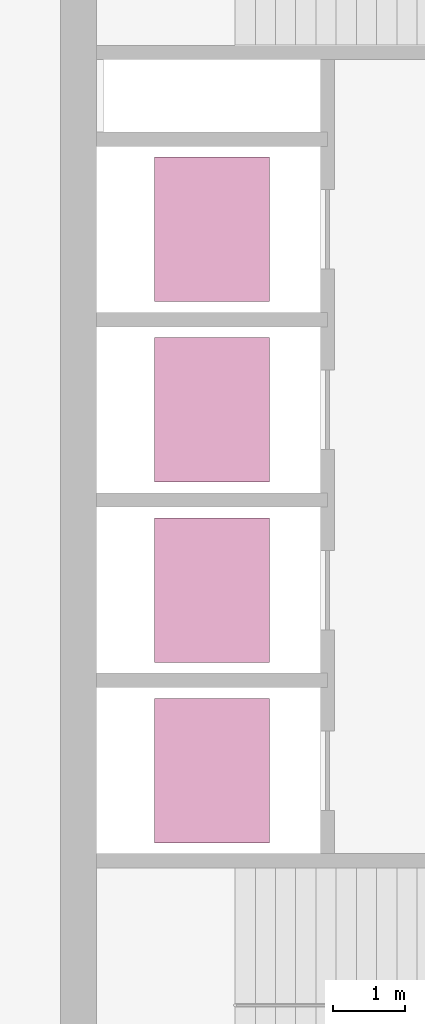
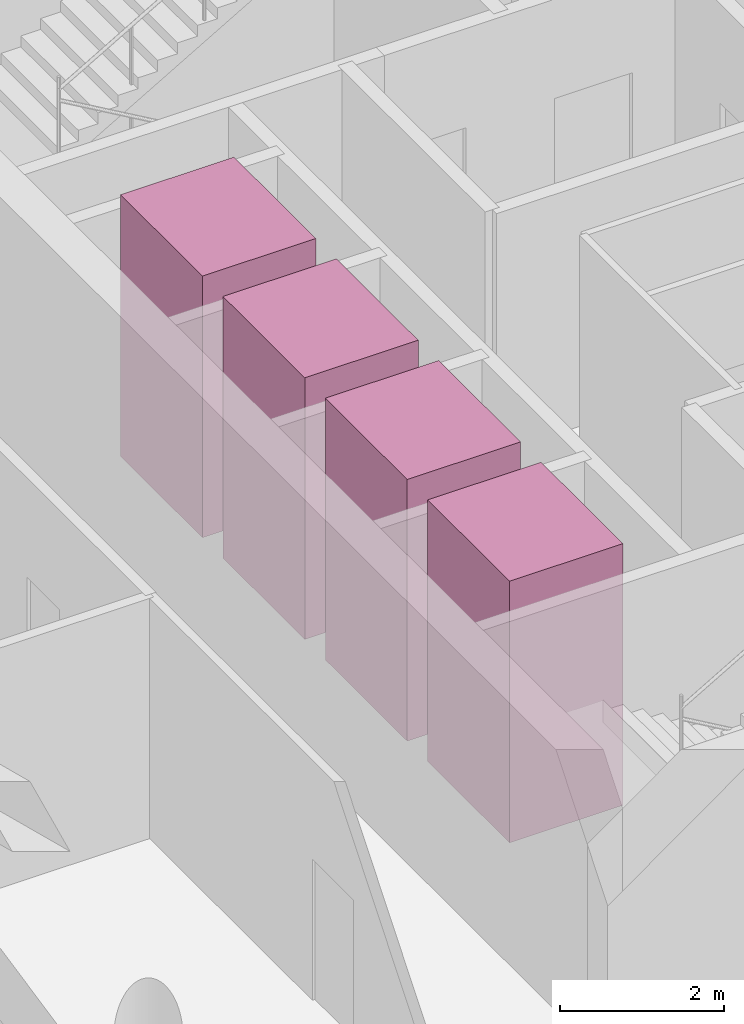
# One storey, part 11 of 11: 4 transport elements.
"""IFC4 building model written with IfcOpenShell, lengths in metres."""

from ifc_helpers import new_model, si_unit, direction, frame, origin, origin_2d, place, context, subcontext, project, spatial, rectangle, extrude, material, type_object, element, save


model = new_model("IFC4")

# Units and contexts
model_context = context("Model", 3, precision=1e-05, world=origin(), true_north=direction((0.0, 1.0)))
body_context = subcontext(model_context, "Body", "Model", "MODEL_VIEW")
ifc_project = project(units=[si_unit("LENGTHUNIT", "METRE"), si_unit("AREAUNIT", "SQUARE_METRE"), si_unit("VOLUMEUNIT", "CUBIC_METRE"), si_unit("PLANEANGLEUNIT", "RADIAN"), si_unit("MASSUNIT", "GRAM", prefix="KILO")], contexts=[model_context])

# Site, building, storey
site_placement = place(None, origin())
site = spatial("IfcSite", under=ifc_project, at=site_placement, CompositionType="ELEMENT")
building_placement = place(site_placement, origin())
building = spatial("IfcBuilding", under=site, at=building_placement, Name="Qaws Garden Tower", CompositionType="ELEMENT")
storey_placement = place(building_placement, frame((0.0, 0.0, 317.699951171875)))
storey = spatial("IfcBuildingStorey", under=building, at=storey_placement, Name="L77", CompositionType="ELEMENT", Elevation=317.699951171875)

# Transport elements
ifc_material = material(Name="Stainless steel 316", Category="steel")
transport_element_type = type_object("IfcTransportElementType", Name="Passenger lift car 2000x1600 1800 kg", PredefinedType="ELEVATOR", material=ifc_material)
for number, where, z_axis, x_axis, name in (
    (1, (10.10009765625, 13.64990234375, 0.0), (0.0, 0.0, 1.0), (1.0, 0.0, 0.0), "HR1"),
    (2, (10.10009765625, 16.14990234375, 0.0), (0.0, 0.0, 1.0), (1.0, 0.0, 0.0), "HR2"),
    (3, (10.10009765625, 18.64990234375, 0.0), (0.0, 0.0, 1.0), (1.0, 0.0, 0.0), "HR3"),
    (4, (10.10009765625, 21.14990234375, 0.0), (0.0, 0.0, 1.0), (1.0, 0.0, 0.0), "HR4"),
):
    element("IfcTransportElement", number, at=place(storey_placement, frame(where, z_axis=z_axis, x_axis=x_axis)), inside=storey, type_object=transport_element_type, Name=name, PredefinedType="ELEVATOR", context=body_context, shape_type="SweptSolid", body=[
        extrude(rectangle(XDim=1.60009765625, YDim=2.0, at=origin_2d()), origin(), (0.0, 0.0, 1.0), 3.89990234375),
    ])

save(model, "model.ifc")
